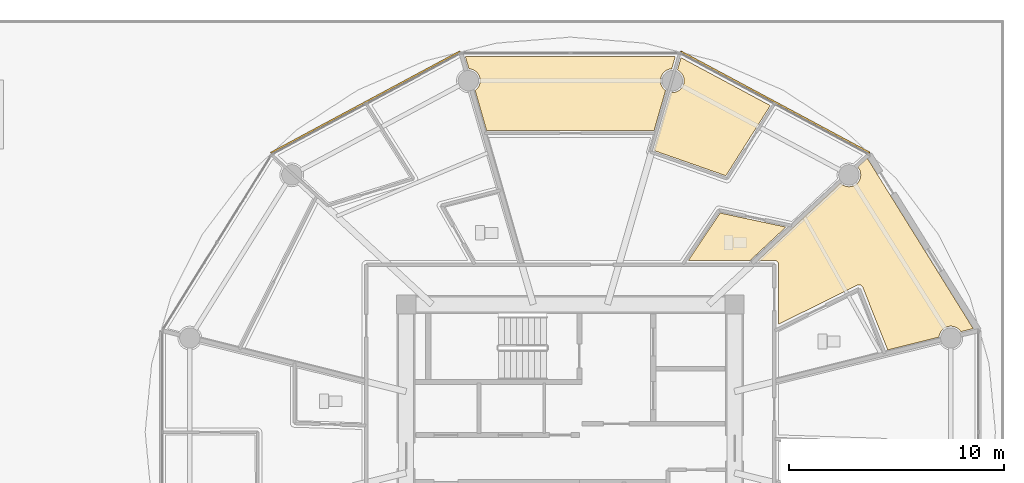
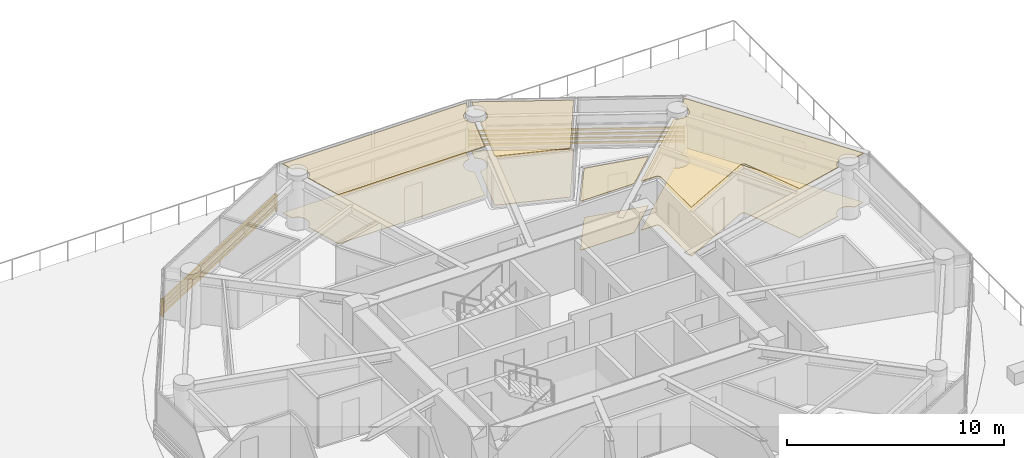
# One storey, part 30 of 32: 8 coverings, 2 shading devices.
"""IFC4 building model written with IfcOpenShell, lengths in metres."""

from ifc_helpers import new_model, si_unit, direction, frame, origin, origin_2d, place, context, subcontext, project, spatial, polyline, rectangle, outline, extrude, source, transform, mapped, material, layer, layer_set, type_object, type_shapes, element, save


model = new_model("IFC4")

# Units and contexts
model_context = context("Model", 3, precision=1e-05, world=origin(), true_north=direction((0.0, 1.0)))
body_context = subcontext(model_context, "Body", "Model", "MODEL_VIEW")
ifc_project = project(units=[si_unit("LENGTHUNIT", "METRE"), si_unit("AREAUNIT", "SQUARE_METRE"), si_unit("VOLUMEUNIT", "CUBIC_METRE"), si_unit("PLANEANGLEUNIT", "RADIAN"), si_unit("MASSUNIT", "GRAM", prefix="KILO")], contexts=[model_context])

# Site, building, storey
site_placement = place(None, origin())
site = spatial("IfcSite", under=ifc_project, at=site_placement, CompositionType="ELEMENT")
building_placement = place(site_placement, origin())
building = spatial("IfcBuilding", under=site, at=building_placement, Name="Norrkilde Senior Care Towers", CompositionType="ELEMENT")
storey_placement = place(building_placement, frame((0.0, 0.0, 21.60009765625)))
storey = spatial("IfcBuildingStorey", under=building, at=storey_placement, Name="L05", CompositionType="ELEMENT", Elevation=21.60009765625)

# Coverings
ifc_material_1 = material(Name="Nordic Ash Timber", Category="wood")
ifc_layer_1 = layer(ifc_material_1, 0.044921875)
ifc_layer_set_1 = layer_set([ifc_layer_1], Name="Nordic Ash Timber")
covering_type_1 = type_object("IfcCoveringType", Name="Acoustic Ash Timber Slatted Ceiling 45", PredefinedType="CEILING", material=ifc_layer_set_1)
covering_1_placement = place(storey_placement, frame((0.0, 0.0, 2.744873046875)))
element("IfcCovering", 1, at=covering_1_placement, inside=storey, type_object=covering_type_1, Name="L05 Suspended Ceiling 0142", PredefinedType="CEILING", context=body_context, shape_type="SweptSolid", body=[
    extrude(outline(polyline([(35.245849609375, 11.9453125), (31.890380859375, 13.12060546875), (32.682373046875, 15.826171875), (32.749267578125, 15.8173828125), (32.89306640625, 15.83642578125), (33.02685546875, 15.891845703125), (33.141845703125, 15.97998046875), (33.22998046875, 16.094970703125), (33.285400390625, 16.228759765625), (33.304443359375, 16.37255859375), (33.285400390625, 16.51611328125), (33.22998046875, 16.64990234375), (33.141845703125, 16.764892578125), (33.02685546875, 16.85302734375), (32.987548828125, 16.869384765625), (33.155517578125, 17.443603515625), (37.31298828125, 15.21435546875), (35.245849609375, 11.9453125)])), origin(), (0.0, 0.0, 1.0), 0.044921875),
])
covering_2_placement = place(storey_placement, frame((0.0, 0.0, 2.744873046875)))
element("IfcCovering", 2, at=covering_2_placement, inside=storey, type_object=covering_type_1, Name="L05 Suspended Ceiling 0143", PredefinedType="CEILING", context=body_context, shape_type="SweptSolid", body=[
    extrude(outline(polyline([(32.7236328125, 16.924072265625), (32.605712890625, 16.908447265625), (32.471923828125, 16.85302734375), (32.35693359375, 16.764892578125), (32.268798828125, 16.64990234375), (32.213134765625, 16.51611328125), (32.1943359375, 16.37255859375), (32.213134765625, 16.228759765625), (32.268798828125, 16.094970703125), (32.35693359375, 15.97998046875), (32.435791015625, 15.91943359375), (31.8994140625, 14.046875), (24.1005859375, 14.046875), (23.564208984375, 15.91943359375), (23.64306640625, 15.97998046875), (23.731201171875, 16.094970703125), (23.786865234375, 16.228759765625), (23.8056640625, 16.37255859375), (23.786865234375, 16.51611328125), (23.731201171875, 16.64990234375), (23.64306640625, 16.764892578125), (23.528076171875, 16.85302734375), (23.394287109375, 16.908447265625), (23.2763671875, 16.924072265625), (23.11181640625, 17.49853515625), (32.88818359375, 17.49853515625), (32.7236328125, 16.924072265625)])), origin(), (0.0, 0.0, 1.0), 0.044921875),
])
covering_3_placement = place(storey_placement, frame((0.0, 0.0, 2.744873046875)))
element("IfcCovering", 3, at=covering_3_placement, inside=storey, type_object=covering_type_1, Name="L05 Suspended Ceiling 0159", PredefinedType="CEILING", context=body_context, shape_type="SweptSolid", body=[
    extrude(outline(polyline([(37.689453125, 7.86376953125), (37.68701171875, 7.87109375), (37.682373046875, 7.8818359375), (37.678955078125, 7.888916015625), (37.673583984375, 7.8994140625), (37.66943359375, 7.90625), (37.662841796875, 7.916015625), (37.658203125, 7.92236328125), (37.65087890625, 7.931396484375), (37.6455078125, 7.937255859375), (37.63720703125, 7.945556640625), (37.63134765625, 7.95068359375), (37.622314453125, 7.958251953125), (37.615966796875, 7.962890625), (37.606201171875, 7.969482421875), (37.599365234375, 7.973388671875), (37.589111328125, 7.97900390625), (37.58203125, 7.982421875), (37.571044921875, 7.98681640625), (37.563720703125, 7.989501953125), (37.552490234375, 7.992919921875), (37.544677734375, 7.994873046875), (37.533203125, 7.9970703125), (37.525390625, 7.998291015625), (37.513671875, 7.99951171875), (37.505859375, 7.999755859375), (37.5, 8.0), (36.72900390625, 8.0), (40.577880859375, 11.599853515625), (40.5830078125, 11.593017578125), (40.697998046875, 11.5048828125), (40.831787109375, 11.449462890625), (40.975341796875, 11.430419921875), (41.119140625, 11.449462890625), (41.2529296875, 11.5048828125), (41.367919921875, 11.593017578125), (41.4560546875, 11.7080078125), (41.511474609375, 11.841796875), (41.530517578125, 11.9853515625), (41.511474609375, 12.129150390625), (41.4560546875, 12.262939453125), (41.38525390625, 12.35498046875), (41.826904296875, 12.76806640625), (46.763916015625, 4.826171875), (46.19140625, 4.6826171875), (46.1171875, 4.779541015625), (46.002197265625, 4.86767578125), (45.868408203125, 4.923095703125), (45.724853515625, 4.94189453125), (45.5810546875, 4.923095703125), (45.447265625, 4.86767578125), (45.332275390625, 4.779541015625), (45.244140625, 4.66455078125), (45.188720703125, 4.530517578125), (45.175048828125, 4.427978515625), (42.785400390625, 3.8291015625), (41.623779296875, 6.746826171875), (41.621337890625, 6.752197265625), (41.61865234375, 6.75830078125), (41.61328125, 6.7685546875), (41.60986328125, 6.774658203125), (41.603515625, 6.784423828125), (41.599609375, 6.789794921875), (41.59228515625, 6.799072265625), (41.587890625, 6.80419921875), (41.57958984375, 6.8125), (41.57470703125, 6.817138671875), (41.56591796875, 6.82470703125), (41.560546875, 6.828857421875), (41.551025390625, 6.835693359375), (41.545166015625, 6.839111328125), (41.534912109375, 6.844970703125), (41.52880859375, 6.847900390625), (41.518310546875, 6.8525390625), (41.511962890625, 6.85498046875), (41.500732421875, 6.858642578125), (41.494140625, 6.860595703125), (41.48291015625, 6.863037109375), (41.47607421875, 6.8642578125), (41.464599609375, 6.86572265625), (41.457763671875, 6.8662109375), (41.446044921875, 6.866455078125), (41.439208984375, 6.8662109375), (41.427734375, 6.865478515625), (41.4208984375, 6.864501953125), (41.409423828125, 6.862548828125), (41.40283203125, 6.861083984375), (41.3916015625, 6.858154296875), (41.385009765625, 6.85595703125), (41.374267578125, 6.851806640625), (41.367919921875, 6.84912109375), (41.362548828125, 6.8466796875), (37.699951171875, 5.028076171875), (37.699951171875, 7.800048828125), (37.699951171875, 7.805908203125), (37.699462890625, 7.813720703125), (37.6982421875, 7.825439453125), (37.697265625, 7.833251953125), (37.69482421875, 7.8447265625), (37.69287109375, 7.852294921875), (37.689453125, 7.86376953125)])), origin(), (0.0, 0.0, 1.0), 0.044921875),
])
ifc_material_2 = material(Name="Gypsum Acoustic Board")
ifc_layer_2 = layer(ifc_material_2, 0.030029296875)
ifc_layer_set_2 = layer_set([ifc_layer_2], Name="Gypsum Acoustic Board")
covering_type_2 = type_object("IfcCoveringType", Name="Medical Cleanable Gypsum Ceiling 30", PredefinedType="CEILING", material=ifc_layer_set_2)
covering_4_placement = place(storey_placement, frame((0.0, 0.0, 2.760009765625)))
element("IfcCovering", 4, at=covering_4_placement, inside=storey, type_object=covering_type_2, Name="L05 Suspended Ceiling 0141", PredefinedType="CEILING", context=body_context, shape_type="SweptSolid", body=[
    extrude(outline(polyline([(38.04150390625, 9.55615234375), (36.377685546875, 8.0), (33.497802734375, 8.0), (34.976806640625, 10.2099609375), (38.04150390625, 9.55615234375)])), origin(), (0.0, 0.0, 1.0), 0.02978515625),
])
ifc_material_3 = material(Name="Slip-Resistant Porcelain Stone", Category="masonry")
ifc_layer_3 = layer(ifc_material_3, 0.02490234375)
ifc_layer_set_3 = layer_set([ifc_layer_3], Name="Slip-Resistant Porcelain Stone")
covering_type_3 = type_object("IfcCoveringType", Name="Slip-Resistant Porcelain Flooring 25", PredefinedType="FLOORING", material=ifc_layer_set_3)
covering_5_placement = place(storey_placement, origin())
element("IfcCovering", 5, at=covering_5_placement, inside=storey, type_object=covering_type_3, Name="L05 Floor Finish 0141", PredefinedType="FLOORING", context=body_context, shape_type="SweptSolid", body=[
    extrude(outline(polyline([(38.04150390625, 9.55615234375), (36.377685546875, 8.0), (33.497802734375, 8.0), (34.976806640625, 10.2099609375), (38.04150390625, 9.55615234375)])), origin(), (0.0, 0.0, 1.0), 0.02490234375),
])
covering_6_placement = place(storey_placement, origin())
element("IfcCovering", 6, at=covering_6_placement, inside=storey, type_object=covering_type_3, Name="L05 Floor Finish 0142", PredefinedType="FLOORING", context=body_context, shape_type="SweptSolid", body=[
    extrude(outline(polyline([(35.245849609375, 11.9453125), (31.890380859375, 13.12060546875), (32.682373046875, 15.826171875), (32.749267578125, 15.8173828125), (32.89306640625, 15.83642578125), (33.02685546875, 15.891845703125), (33.141845703125, 15.97998046875), (33.22998046875, 16.094970703125), (33.285400390625, 16.228759765625), (33.304443359375, 16.37255859375), (33.285400390625, 16.51611328125), (33.22998046875, 16.64990234375), (33.141845703125, 16.764892578125), (33.02685546875, 16.85302734375), (32.987548828125, 16.869384765625), (33.155517578125, 17.443603515625), (37.31298828125, 15.21435546875), (35.245849609375, 11.9453125)])), origin(), (0.0, 0.0, 1.0), 0.02490234375),
])
covering_7_placement = place(storey_placement, origin())
element("IfcCovering", 7, at=covering_7_placement, inside=storey, type_object=covering_type_3, Name="L05 Floor Finish 0143", PredefinedType="FLOORING", context=body_context, shape_type="SweptSolid", body=[
    extrude(outline(polyline([(32.7236328125, 16.924072265625), (32.605712890625, 16.908447265625), (32.471923828125, 16.85302734375), (32.35693359375, 16.764892578125), (32.268798828125, 16.64990234375), (32.213134765625, 16.51611328125), (32.1943359375, 16.37255859375), (32.213134765625, 16.228759765625), (32.268798828125, 16.094970703125), (32.35693359375, 15.97998046875), (32.435791015625, 15.91943359375), (31.8994140625, 14.046875), (24.1005859375, 14.046875), (23.564208984375, 15.91943359375), (23.64306640625, 15.97998046875), (23.731201171875, 16.094970703125), (23.786865234375, 16.228759765625), (23.8056640625, 16.37255859375), (23.786865234375, 16.51611328125), (23.731201171875, 16.64990234375), (23.64306640625, 16.764892578125), (23.528076171875, 16.85302734375), (23.394287109375, 16.908447265625), (23.2763671875, 16.924072265625), (23.11181640625, 17.49853515625), (32.88818359375, 17.49853515625), (32.7236328125, 16.924072265625)])), origin(), (0.0, 0.0, 1.0), 0.02490234375),
])
covering_8_placement = place(storey_placement, origin())
element("IfcCovering", 8, at=covering_8_placement, inside=storey, type_object=covering_type_3, Name="L05 Floor Finish 0159", PredefinedType="FLOORING", context=body_context, shape_type="SweptSolid", body=[
    extrude(outline(polyline([(37.689453125, 7.86376953125), (37.68701171875, 7.87109375), (37.682373046875, 7.8818359375), (37.678955078125, 7.888916015625), (37.673583984375, 7.8994140625), (37.66943359375, 7.90625), (37.662841796875, 7.916015625), (37.658203125, 7.92236328125), (37.65087890625, 7.931396484375), (37.6455078125, 7.937255859375), (37.63720703125, 7.945556640625), (37.63134765625, 7.95068359375), (37.622314453125, 7.958251953125), (37.615966796875, 7.962890625), (37.606201171875, 7.969482421875), (37.599365234375, 7.973388671875), (37.589111328125, 7.97900390625), (37.58203125, 7.982421875), (37.571044921875, 7.98681640625), (37.563720703125, 7.989501953125), (37.552490234375, 7.992919921875), (37.544677734375, 7.994873046875), (37.533203125, 7.9970703125), (37.525390625, 7.998291015625), (37.513671875, 7.99951171875), (37.505859375, 7.999755859375), (37.5, 8.0), (36.72900390625, 8.0), (40.577880859375, 11.599853515625), (40.5830078125, 11.593017578125), (40.697998046875, 11.5048828125), (40.831787109375, 11.449462890625), (40.975341796875, 11.430419921875), (41.119140625, 11.449462890625), (41.2529296875, 11.5048828125), (41.367919921875, 11.593017578125), (41.4560546875, 11.7080078125), (41.511474609375, 11.841796875), (41.530517578125, 11.9853515625), (41.511474609375, 12.129150390625), (41.4560546875, 12.262939453125), (41.38525390625, 12.35498046875), (41.826904296875, 12.76806640625), (46.763916015625, 4.826171875), (46.19140625, 4.6826171875), (46.1171875, 4.779541015625), (46.002197265625, 4.86767578125), (45.868408203125, 4.923095703125), (45.724853515625, 4.94189453125), (45.5810546875, 4.923095703125), (45.447265625, 4.86767578125), (45.332275390625, 4.779541015625), (45.244140625, 4.66455078125), (45.188720703125, 4.530517578125), (45.175048828125, 4.427978515625), (42.785400390625, 3.8291015625), (41.623779296875, 6.746826171875), (41.621337890625, 6.752197265625), (41.61865234375, 6.75830078125), (41.61328125, 6.7685546875), (41.60986328125, 6.774658203125), (41.603515625, 6.784423828125), (41.599609375, 6.789794921875), (41.59228515625, 6.799072265625), (41.587890625, 6.80419921875), (41.57958984375, 6.8125), (41.57470703125, 6.817138671875), (41.56591796875, 6.82470703125), (41.560546875, 6.828857421875), (41.551025390625, 6.835693359375), (41.545166015625, 6.839111328125), (41.534912109375, 6.844970703125), (41.52880859375, 6.847900390625), (41.518310546875, 6.8525390625), (41.511962890625, 6.85498046875), (41.500732421875, 6.858642578125), (41.494140625, 6.860595703125), (41.48291015625, 6.863037109375), (41.47607421875, 6.8642578125), (41.464599609375, 6.86572265625), (41.457763671875, 6.8662109375), (41.446044921875, 6.866455078125), (41.439208984375, 6.8662109375), (41.427734375, 6.865478515625), (41.4208984375, 6.864501953125), (41.409423828125, 6.862548828125), (41.40283203125, 6.861083984375), (41.3916015625, 6.858154296875), (41.385009765625, 6.85595703125), (41.374267578125, 6.851806640625), (41.367919921875, 6.84912109375), (41.362548828125, 6.8466796875), (37.699951171875, 5.028076171875), (37.699951171875, 7.800048828125), (37.699951171875, 7.805908203125), (37.699462890625, 7.813720703125), (37.6982421875, 7.825439453125), (37.697265625, 7.833251953125), (37.69482421875, 7.8447265625), (37.69287109375, 7.852294921875), (37.689453125, 7.86376953125)])), origin(), (0.0, 0.0, 1.0), 0.02490234375),
])

# Shading devices
ifc_material_4 = material(Name="Architectural Terracotta", Category="masonry")
shading_device_type = type_object("IfcShadingDeviceType", Name="Horizontal Terracotta Baguette Rack", PredefinedType="USERDEFINED", material=ifc_material_4)
shared_shape = source(origin(), body_context, "Body", "SweptSolid", [
    extrude(rectangle(XDim=0.070068359375, YDim=0.110107421875, at=origin_2d()), frame((0.0, 0.090087890625, 0.125), z_axis=(1.0, 0.0, 0.0), x_axis=(0.0, 1.0, 0.0)), (0.0, 0.0, 1.0), 10.0107421875),
    extrude(rectangle(XDim=0.070068359375, YDim=0.110107421875, at=origin_2d()), frame((0.0, 0.090087890625, 0.375), z_axis=(1.0, 0.0, 0.0), x_axis=(0.0, 1.0, 0.0)), (0.0, 0.0, 1.0), 10.0107421875),
    extrude(rectangle(XDim=0.070068359375, YDim=0.110107421875, at=origin_2d()), frame((0.0, 0.090087890625, 0.625), z_axis=(1.0, 0.0, 0.0), x_axis=(0.0, 1.0, 0.0)), (0.0, 0.0, 1.0), 10.0107421875),
    extrude(rectangle(XDim=0.070068359375, YDim=0.110107421875, at=origin_2d()), frame((0.0, 0.090087890625, 0.875), z_axis=(1.0, 0.0, 0.0), x_axis=(0.0, 1.0, 0.0)), (0.0, 0.0, 1.0), 10.0107421875),
    extrude(rectangle(XDim=0.050048828125, YDim=0.1552734375, at=origin_2d()), frame((0.02490234375, 0.047607421875, 0.0)), (0.0, 0.0, 1.0), 1.0),
    extrude(rectangle(XDim=0.050048828125, YDim=0.1552734375, at=origin_2d()), frame((9.98583984375, 0.047607421875, 0.0)), (0.0, 0.0, 1.0), 1.0),
])
type_shapes(shading_device_type, [shared_shape])
for number, where, z_axis, x_axis, name in (
    (9, (33.093505859375, 17.6572265625, 0.079833984375), (0.0, 0.0, 1.0), (0.881279875134, -0.472612428056, 0.0), "L05 Drum E Terracotta Baguette Screen 01"),
    (10, (14.084228515625, 12.926025390625, 0.079833984375), (0.0, 0.0, 1.0), (0.881279875134, 0.472612428056, 0.0), "L05 Drum E Terracotta Baguette Screen 03"),
):
    element("IfcShadingDevice", number, at=place(storey_placement, frame(where, z_axis=z_axis, x_axis=x_axis)), inside=storey, type_object=shading_device_type, Name=name, ObjectType="BAGUETTE", PredefinedType="USERDEFINED", context=body_context, shape_type="MappedRepresentation", body=[
        mapped(shared_shape, transform((0.0, 0.0, 0.0), x_axis=(1.0, 0.0, 0.0), y_axis=(0.0, 1.0, 0.0), z_axis=(0.0, 0.0, 1.0), scale=1.0)),
    ])

save(model, "model.ifc")
